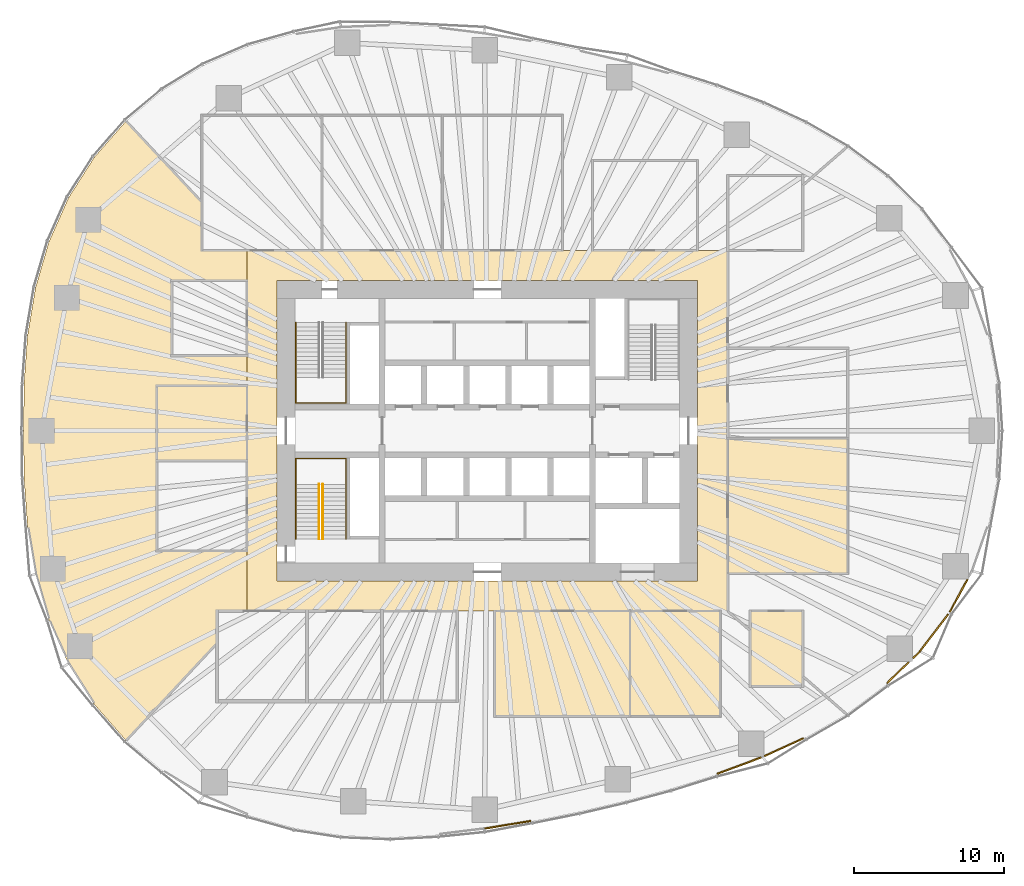
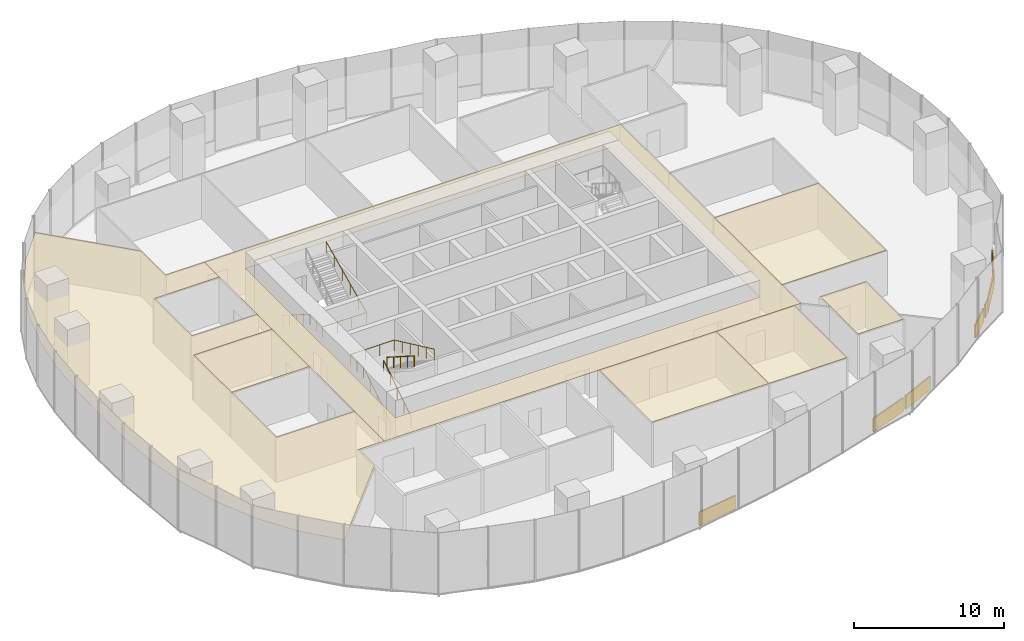
# One storey, part 18 of 20: 14 coverings, 4 railings.
"""IFC4 building model written with IfcOpenShell, lengths in metres."""

from ifc_helpers import new_model, si_unit, direction, frame, origin, origin_2d, place, context, subcontext, project, spatial, polyline, rectangle, circle, outline, extrude, material, layer, layer_set, type_object, element, save


model = new_model("IFC4")

# Units and contexts
model_context = context("Model", 3, precision=1e-05, world=origin(), true_north=direction((0.0, 1.0)))
body_context = subcontext(model_context, "Body", "Model", "MODEL_VIEW")
ifc_project = project(units=[si_unit("LENGTHUNIT", "METRE"), si_unit("AREAUNIT", "SQUARE_METRE"), si_unit("VOLUMEUNIT", "CUBIC_METRE"), si_unit("PLANEANGLEUNIT", "RADIAN"), si_unit("MASSUNIT", "GRAM", prefix="KILO")], contexts=[model_context])

# Site, building, storey
site_placement = place(None, origin())
site = spatial("IfcSite", under=ifc_project, at=site_placement, CompositionType="ELEMENT")
building_placement = place(site_placement, origin())
building = spatial("IfcBuilding", under=site, at=building_placement, Name="Ghaith Harvest Tower", CompositionType="ELEMENT")
storey_placement = place(building_placement, frame((0.0, 0.0, 60.0)))
storey = spatial("IfcBuildingStorey", under=building, at=storey_placement, Name="L12", CompositionType="ELEMENT", Elevation=60.0)

# Coverings
ifc_material_1 = material(Name="Mineral fibre ceiling tile", Category="gypsum")
ifc_layer_1 = layer(ifc_material_1, 0.02490234375)
ifc_layer_set_1 = layer_set([ifc_layer_1], Name="CEILING C2")
covering_type_1 = type_object("IfcCoveringType", Name="CEILING C2", PredefinedType="CEILING", material=ifc_layer_set_1)
covering_1_placement = place(storey_placement, frame((0.0, 0.0, 3.60009765625)))
element("IfcCovering", 1, at=covering_1_placement, inside=storey, type_object=covering_type_1, Name="Ceiling L12-05", PredefinedType="CEILING", context=body_context, shape_type="SweptSolid", body=[
    extrude(outline(polyline([(16.0, -9.5), (24.0, -9.5), (24.0, -0.5), (16.0, -0.5), (16.0, -9.5)])), origin(), (0.0, 0.0, 1.0), 0.02490234375),
])
covering_2_placement = place(storey_placement, frame((0.0, 0.0, 3.60009765625)))
element("IfcCovering", 2, at=covering_2_placement, inside=storey, type_object=covering_type_1, Name="Ceiling L12-08", PredefinedType="CEILING", context=body_context, shape_type="SweptSolid", body=[
    extrude(outline(polyline([(-22.0, -2.0), (-16.0, -2.0), (-16.0, 3.0), (-22.0, 3.0), (-22.0, -2.0)])), origin(), (0.0, 0.0, 1.0), 0.02490234375),
])
covering_3_placement = place(storey_placement, frame((0.0, 0.0, 3.60009765625)))
element("IfcCovering", 3, at=covering_3_placement, inside=storey, type_object=covering_type_1, Name="Ceiling L12-12", PredefinedType="CEILING", context=body_context, shape_type="SweptSolid", body=[
    extrude(outline(polyline([(0.5, -19.0), (9.5, -19.0), (9.5, -12.0), (0.5, -12.0), (0.5, -19.0)])), origin(), (0.0, 0.0, 1.0), 0.02490234375),
])
covering_4_placement = place(storey_placement, frame((0.0, 0.0, 3.60009765625)))
element("IfcCovering", 4, at=covering_4_placement, inside=storey, type_object=covering_type_1, Name="Ceiling L12-13", PredefinedType="CEILING", context=body_context, shape_type="SweptSolid", body=[
    extrude(outline(polyline([(9.5, -19.0), (15.5, -19.0), (15.5, -12.0), (9.5, -12.0), (9.5, -19.0)])), origin(), (0.0, 0.0, 1.0), 0.02490234375),
])
covering_5_placement = place(storey_placement, frame((0.0, 0.0, 3.60009765625)))
element("IfcCovering", 5, at=covering_5_placement, inside=storey, type_object=covering_type_1, Name="Ceiling L12-15", PredefinedType="CEILING", context=body_context, shape_type="SweptSolid", body=[
    extrude(outline(polyline([(17.5, -17.0), (21.0, -17.0), (21.0, -12.0), (17.5, -12.0), (17.5, -17.0)])), origin(), (0.0, 0.0, 1.0), 0.02490234375),
])
covering_6_placement = place(storey_placement, frame((0.0, 0.0, 3.60009765625)))
element("IfcCovering", 6, at=covering_6_placement, inside=storey, type_object=covering_type_1, Name="Ceiling L12-C1", PredefinedType="CEILING", context=body_context, shape_type="SweptSolid", body=[
    extrude(outline(polyline([(-16.0, 12.0), (16.0, 12.0), (16.0, -12.0), (-16.0, -12.0), (-16.0, 12.0)]), holes=[polyline([(14.0, 10.0), (-14.0, 10.0), (-14.0, -10.0), (14.0, -10.0), (14.0, 10.0)])]), origin(), (0.0, 0.0, 1.0), 0.02490234375),
])
covering_7_placement = place(storey_placement, frame((0.0, 0.0, 3.60009765625)))
element("IfcCovering", 7, at=covering_7_placement, inside=storey, type_object=covering_type_1, Name="Ceiling L12-W1", PredefinedType="CEILING", context=body_context, shape_type="SweptSolid", body=[
    extrude(outline(polyline([(-26.16455078125, -18.20556640625), (-27.881591796875, -15.507080078125), (-29.182373046875, -12.587890625), (-30.073974609375, -9.531005859375), (-30.606689453125, -6.35107421875), (-30.837158203125, -3.165771484375), (-30.875, 0.0), (-30.837158203125, 3.165771484375), (-30.606689453125, 6.35107421875), (-30.073974609375, 9.531005859375), (-29.182373046875, 12.587890625), (-27.881591796875, 15.507080078125), (-26.16455078125, 18.20556640625), (-24.04833984375, 20.618408203125), (-19.0, 15.21240234375), (-19.0, 12.0), (-16.0, 12.0), (-16.0, 10.0), (-21.0, 10.0), (-21.0, 5.0), (-16.0, 5.0), (-16.0, 3.0), (-22.0, 3.0), (-22.0, -8.0), (-16.0, -8.0), (-16.0, -12.0), (-18.0, -12.0), (-18.0, -14.1416015625), (-24.04833984375, -20.618408203125), (-26.16455078125, -18.20556640625)])), origin(), (0.0, 0.0, 1.0), 0.02490234375),
])

# Railings
ifc_material_2 = material(Name="Steel, black powder-coated", Category="steel")
railing_type = type_object("IfcRailingType", Name="HANDRAIL HR1", PredefinedType="HANDRAIL", material=ifc_material_2)
railing_1_placement = place(storey_placement, frame((-12.75, 7.199951171875, 0.178466796875)))
element("IfcRailing", 8, at=railing_1_placement, inside=storey, type_object=railing_type, Name="Handrail HR1 stair ST1 L12 wall side", PredefinedType="HANDRAIL", context=body_context, shape_type="SweptSolid", body=[
    extrude(circle(Radius=0.02392578125, at=origin_2d()), frame((0.0, 0.0, 0.8759765625), z_axis=(0.0, -0.843111507901, 0.53773877045), x_axis=(1.0, 0.0, 0.0)), (0.0, 0.0, 1.0), 4.317138671875),
    extrude(circle(Radius=0.02392578125, at=origin_2d()), frame((0.0, -3.639892578125, 3.197265625), z_axis=(0.0, -1.0, 0.0), x_axis=(1.0, 0.0, 0.0)), (0.0, 0.0, 1.0), 1.7099609375),
    extrude(circle(Radius=0.02392578125, at=origin_2d()), frame((0.0, -5.349853515625, 3.197265625), z_axis=(1.0, 0.0, 0.0), x_axis=(0.0, 1.0, 0.0)), (0.0, 0.0, 1.0), 3.35009765625),
    extrude(circle(Radius=0.02392578125, at=origin_2d()), frame((3.35009765625, -5.349853515625, 3.197265625), z_axis=(0.0, 0.905962265858, 0.423358444868), x_axis=(-1.0, 0.0, 0.0)), (0.0, 0.0, 1.0), 5.9052734375),
    extrude(circle(Radius=0.02099609375, at=origin_2d()), origin(), (0.0, 0.0, 1.0), 0.851806640625),
    extrude(circle(Radius=0.02099609375, at=origin_2d()), frame((0.0, -0.909912109375, 0.580322265625)), (0.0, 0.0, 1.0), 0.851806640625),
    extrude(circle(Radius=0.02099609375, at=origin_2d()), frame((0.0, -1.81982421875, 1.16064453125)), (0.0, 0.0, 1.0), 0.851806640625),
    extrude(circle(Radius=0.02099609375, at=origin_2d()), frame((0.0, -2.72998046875, 1.7412109375)), (0.0, 0.0, 1.0), 0.851806640625),
    extrude(circle(Radius=0.02099609375, at=origin_2d()), frame((0.0, -3.639892578125, 2.321533203125)), (0.0, 0.0, 1.0), 0.851806640625),
    extrude(circle(Radius=0.02099609375, at=origin_2d()), frame((0.0, -4.494873046875, 2.321533203125)), (0.0, 0.0, 1.0), 0.851806640625),
    extrude(circle(Radius=0.02099609375, at=origin_2d()), frame((0.0, -5.349853515625, 2.321533203125)), (0.0, 0.0, 1.0), 0.851806640625),
    extrude(circle(Radius=0.02099609375, at=origin_2d()), frame((1.11669921875, -5.349853515625, 2.321533203125)), (0.0, 0.0, 1.0), 0.851806640625),
    extrude(circle(Radius=0.02099609375, at=origin_2d()), frame((2.2333984375, -5.349853515625, 2.321533203125)), (0.0, 0.0, 1.0), 0.851806640625),
    extrude(circle(Radius=0.02099609375, at=origin_2d()), frame((3.35009765625, -5.349853515625, 2.321533203125)), (0.0, 0.0, 1.0), 0.851806640625),
    extrude(circle(Radius=0.02099609375, at=origin_2d()), frame((3.35009765625, -4.27978515625, 2.821533203125)), (0.0, 0.0, 1.0), 0.851806640625),
    extrude(circle(Radius=0.02099609375, at=origin_2d()), frame((3.35009765625, -3.2099609375, 3.321533203125)), (0.0, 0.0, 1.0), 0.851806640625),
    extrude(circle(Radius=0.02099609375, at=origin_2d()), frame((3.35009765625, -2.139892578125, 3.821533203125)), (0.0, 0.0, 1.0), 0.851806640625),
    extrude(circle(Radius=0.02099609375, at=origin_2d()), frame((3.35009765625, -1.070068359375, 4.321533203125)), (0.0, 0.0, 1.0), 0.851806640625),
    extrude(circle(Radius=0.02099609375, at=origin_2d()), frame((3.35009765625, 0.0, 4.821533203125)), (0.0, 0.0, 1.0), 0.851806640625),
])
railing_2_placement = place(storey_placement, frame((-11.199951171875, -7.199951171875, 0.178466796875)))
element("IfcRailing", 9, at=railing_2_placement, inside=storey, type_object=railing_type, Name="Handrail HR1 stair ST3 L12 flight 1 inner", PredefinedType="HANDRAIL", context=body_context, shape_type="SweptSolid", body=[
    extrude(circle(Radius=0.02392578125, at=origin_2d()), frame((0.0, 0.0, 0.8759765625), z_axis=(0.0, 0.843111507901, 0.53773877045), x_axis=(-1.0, 0.0, 0.0)), (0.0, 0.0, 1.0), 4.317138671875),
    extrude(circle(Radius=0.02099609375, at=origin_2d()), origin(), (0.0, 0.0, 1.0), 0.851806640625),
    extrude(circle(Radius=0.02099609375, at=origin_2d()), frame((0.0, 0.909912109375, 0.580322265625)), (0.0, 0.0, 1.0), 0.851806640625),
    extrude(circle(Radius=0.02099609375, at=origin_2d()), frame((0.0, 1.81982421875, 1.16064453125)), (0.0, 0.0, 1.0), 0.851806640625),
    extrude(circle(Radius=0.02099609375, at=origin_2d()), frame((0.0, 2.72998046875, 1.7412109375)), (0.0, 0.0, 1.0), 0.851806640625),
    extrude(circle(Radius=0.02099609375, at=origin_2d()), frame((0.0, 3.639892578125, 2.321533203125)), (0.0, 0.0, 1.0), 0.851806640625),
])
railing_3_placement = place(storey_placement, frame((-10.949951171875, -3.56005859375, 2.678466796875)))
element("IfcRailing", 10, at=railing_3_placement, inside=storey, type_object=railing_type, Name="Handrail HR1 stair ST3 L12 flight 2 inner", PredefinedType="HANDRAIL", context=body_context, shape_type="SweptSolid", body=[
    extrude(circle(Radius=0.02392578125, at=origin_2d()), frame((0.0, 0.0, 0.8759765625), z_axis=(0.0, -0.843111507901, 0.53773877045), x_axis=(1.0, 0.0, 0.0)), (0.0, 0.0, 1.0), 4.317138671875),
    extrude(circle(Radius=0.02099609375, at=origin_2d()), origin(), (0.0, 0.0, 1.0), 0.851806640625),
    extrude(circle(Radius=0.02099609375, at=origin_2d()), frame((0.0, -0.909912109375, 0.580322265625)), (0.0, 0.0, 1.0), 0.851806640625),
    extrude(circle(Radius=0.02099609375, at=origin_2d()), frame((0.0, -1.81982421875, 1.16064453125)), (0.0, 0.0, 1.0), 0.851806640625),
    extrude(circle(Radius=0.02099609375, at=origin_2d()), frame((0.0, -2.72998046875, 1.7412109375)), (0.0, 0.0, 1.0), 0.851806640625),
    extrude(circle(Radius=0.02099609375, at=origin_2d()), frame((0.0, -3.639892578125, 2.321533203125)), (0.0, 0.0, 1.0), 0.851806640625),
])
railing_4_placement = place(storey_placement, frame((-12.75, -7.199951171875, 0.178466796875)))
element("IfcRailing", 11, at=railing_4_placement, inside=storey, type_object=railing_type, Name="Handrail HR1 stair ST3 L12 wall side", PredefinedType="HANDRAIL", context=body_context, shape_type="SweptSolid", body=[
    extrude(circle(Radius=0.02392578125, at=origin_2d()), frame((0.0, 0.0, 0.8759765625), z_axis=(0.0, 0.843111507901, 0.53773877045), x_axis=(-1.0, 0.0, 0.0)), (0.0, 0.0, 1.0), 4.317138671875),
    extrude(circle(Radius=0.02392578125, at=origin_2d()), frame((0.0, 3.639892578125, 3.197265625), z_axis=(0.0, 1.0, 0.0), x_axis=(-1.0, 0.0, 0.0)), (0.0, 0.0, 1.0), 1.7099609375),
    extrude(circle(Radius=0.02392578125, at=origin_2d()), frame((0.0, 5.349853515625, 3.197265625), z_axis=(1.0, 0.0, 0.0), x_axis=(0.0, 1.0, 0.0)), (0.0, 0.0, 1.0), 3.35009765625),
    extrude(circle(Radius=0.02392578125, at=origin_2d()), frame((3.35009765625, 5.349853515625, 3.197265625), z_axis=(0.0, -0.905962265858, 0.423358444868), x_axis=(1.0, 0.0, 0.0)), (0.0, 0.0, 1.0), 5.9052734375),
    extrude(circle(Radius=0.02099609375, at=origin_2d()), origin(), (0.0, 0.0, 1.0), 0.851806640625),
    extrude(circle(Radius=0.02099609375, at=origin_2d()), frame((0.0, 0.909912109375, 0.580322265625)), (0.0, 0.0, 1.0), 0.851806640625),
    extrude(circle(Radius=0.02099609375, at=origin_2d()), frame((0.0, 1.81982421875, 1.16064453125)), (0.0, 0.0, 1.0), 0.851806640625),
    extrude(circle(Radius=0.02099609375, at=origin_2d()), frame((0.0, 2.72998046875, 1.7412109375)), (0.0, 0.0, 1.0), 0.851806640625),
    extrude(circle(Radius=0.02099609375, at=origin_2d()), frame((0.0, 3.639892578125, 2.321533203125)), (0.0, 0.0, 1.0), 0.851806640625),
    extrude(circle(Radius=0.02099609375, at=origin_2d()), frame((0.0, 4.494873046875, 2.321533203125)), (0.0, 0.0, 1.0), 0.851806640625),
    extrude(circle(Radius=0.02099609375, at=origin_2d()), frame((0.0, 5.349853515625, 2.321533203125)), (0.0, 0.0, 1.0), 0.851806640625),
    extrude(circle(Radius=0.02099609375, at=origin_2d()), frame((1.11669921875, 5.349853515625, 2.321533203125)), (0.0, 0.0, 1.0), 0.851806640625),
    extrude(circle(Radius=0.02099609375, at=origin_2d()), frame((2.2333984375, 5.349853515625, 2.321533203125)), (0.0, 0.0, 1.0), 0.851806640625),
    extrude(circle(Radius=0.02099609375, at=origin_2d()), frame((3.35009765625, 5.349853515625, 2.321533203125)), (0.0, 0.0, 1.0), 0.851806640625),
    extrude(circle(Radius=0.02099609375, at=origin_2d()), frame((3.35009765625, 4.27978515625, 2.821533203125)), (0.0, 0.0, 1.0), 0.851806640625),
    extrude(circle(Radius=0.02099609375, at=origin_2d()), frame((3.35009765625, 3.2099609375, 3.321533203125)), (0.0, 0.0, 1.0), 0.851806640625),
    extrude(circle(Radius=0.02099609375, at=origin_2d()), frame((3.35009765625, 2.139892578125, 3.821533203125)), (0.0, 0.0, 1.0), 0.851806640625),
    extrude(circle(Radius=0.02099609375, at=origin_2d()), frame((3.35009765625, 1.070068359375, 4.321533203125)), (0.0, 0.0, 1.0), 0.851806640625),
    extrude(circle(Radius=0.02099609375, at=origin_2d()), frame((3.35009765625, 0.0, 4.821533203125)), (0.0, 0.0, 1.0), 0.851806640625),
])

# Coverings
ifc_material_3 = material(Name="Insulated aluminium spandrel panel on steel framing", Category="steel")
ifc_layer_2 = layer(ifc_material_3, 0.10009765625)
ifc_layer_set_2 = layer_set([ifc_layer_2], Name="SLAB EDGE UPSTAND 1100x100")
covering_type_2 = type_object("IfcCoveringType", Name="SLAB EDGE UPSTAND 1100x100", PredefinedType="CLADDING", material=ifc_layer_set_2)
covering_8_placement = place(storey_placement, frame((1.349609375, -26.224365234375, 0.0), z_axis=(0.0, 0.0, 1.0), x_axis=(0.98671624755, 0.162453214254, 0.0)))
element("IfcCovering", 12, at=covering_8_placement, inside=storey, type_object=covering_type_2, Name="Slab edge upstand 1 bay 16 L12", PredefinedType="CLADDING", context=body_context, shape_type="SweptSolid", body=[
    extrude(rectangle(XDim=3.119873046875, YDim=0.10009765625, at=origin_2d()), origin(), (0.0, 0.0, 1.0), 1.10009765625),
])
covering_9_placement = place(storey_placement, frame((16.764404296875, -22.289306640625, 0.0), z_axis=(0.0, 0.0, 1.0), x_axis=(0.937331853701, 0.348437937139, 0.0)))
element("IfcCovering", 13, at=covering_9_placement, inside=storey, type_object=covering_type_2, Name="Slab edge upstand 3 bay 17 L12", PredefinedType="CLADDING", context=body_context, shape_type="SweptSolid", body=[
    extrude(rectangle(XDim=3.1298828125, YDim=0.10009765625, at=origin_2d()), origin(), (0.0, 0.0, 1.0), 1.10009765625),
])
covering_10_placement = place(storey_placement, frame((19.7451171875, -21.05810546875, 0.0), z_axis=(0.0, 0.0, 1.0), x_axis=(0.909046054499, 0.416695657284, 0.0)))
element("IfcCovering", 14, at=covering_10_placement, inside=storey, type_object=covering_type_2, Name="Slab edge upstand 1 bay 18 L12", PredefinedType="CLADDING", context=body_context, shape_type="SweptSolid", body=[
    extrude(rectangle(XDim=2.84326171875, YDim=0.10009765625, at=origin_2d()), origin(), (0.0, 0.0, 1.0), 1.10009765625),
])
covering_11_placement = place(storey_placement, frame((27.330810546875, -16.105224609375, 0.0), z_axis=(0.0, 0.0, 1.0), x_axis=(0.717386427289, 0.69667547247, 0.0)))
element("IfcCovering", 15, at=covering_11_placement, inside=storey, type_object=covering_type_2, Name="Slab edge upstand 1 bay 19 L12", PredefinedType="CLADDING", context=body_context, shape_type="SweptSolid", body=[
    extrude(rectangle(XDim=2.010498046875, YDim=0.10009765625, at=origin_2d()), origin(), (0.0, 0.0, 1.0), 1.10009765625),
])
covering_12_placement = place(storey_placement, frame((28.57470703125, -14.897216796875, 0.0), z_axis=(0.0, 0.0, 1.0), x_axis=(0.717386427289, 0.69667547247, 0.0)))
element("IfcCovering", 16, at=covering_12_placement, inside=storey, type_object=covering_type_2, Name="Slab edge upstand 1 bay 19 L12", PredefinedType="CLADDING", context=body_context, shape_type="SweptSolid", body=[
    extrude(rectangle(XDim=0.643310546875, YDim=0.10009765625, at=origin_2d()), origin(), (0.0, 0.0, 1.0), 1.10009765625),
])
covering_13_placement = place(storey_placement, frame((29.74267578125, -13.44921875, 0.0), z_axis=(0.0, 0.0, 1.0), x_axis=(0.608255123652, 0.7937415855, 0.0)))
element("IfcCovering", 17, at=covering_13_placement, inside=storey, type_object=covering_type_2, Name="Slab edge upstand 2 bay 19 L12", PredefinedType="CLADDING", context=body_context, shape_type="SweptSolid", body=[
    extrude(rectangle(XDim=3.09765625, YDim=0.10009765625, at=origin_2d()), origin(), (0.0, 0.0, 1.0), 1.10009765625),
])
covering_14_placement = place(storey_placement, frame((31.3759765625, -10.9755859375, 0.0), z_axis=(0.0, 0.0, 1.0), x_axis=(0.4763492928, 0.879256135178, 0.0)))
element("IfcCovering", 18, at=covering_14_placement, inside=storey, type_object=covering_type_2, Name="Slab edge upstand 3 bay 19 L12", PredefinedType="CLADDING", context=body_context, shape_type="SweptSolid", body=[
    extrude(rectangle(XDim=2.46484375, YDim=0.10009765625, at=origin_2d()), origin(), (0.0, 0.0, 1.0), 1.10009765625),
])

save(model, "model.ifc")
